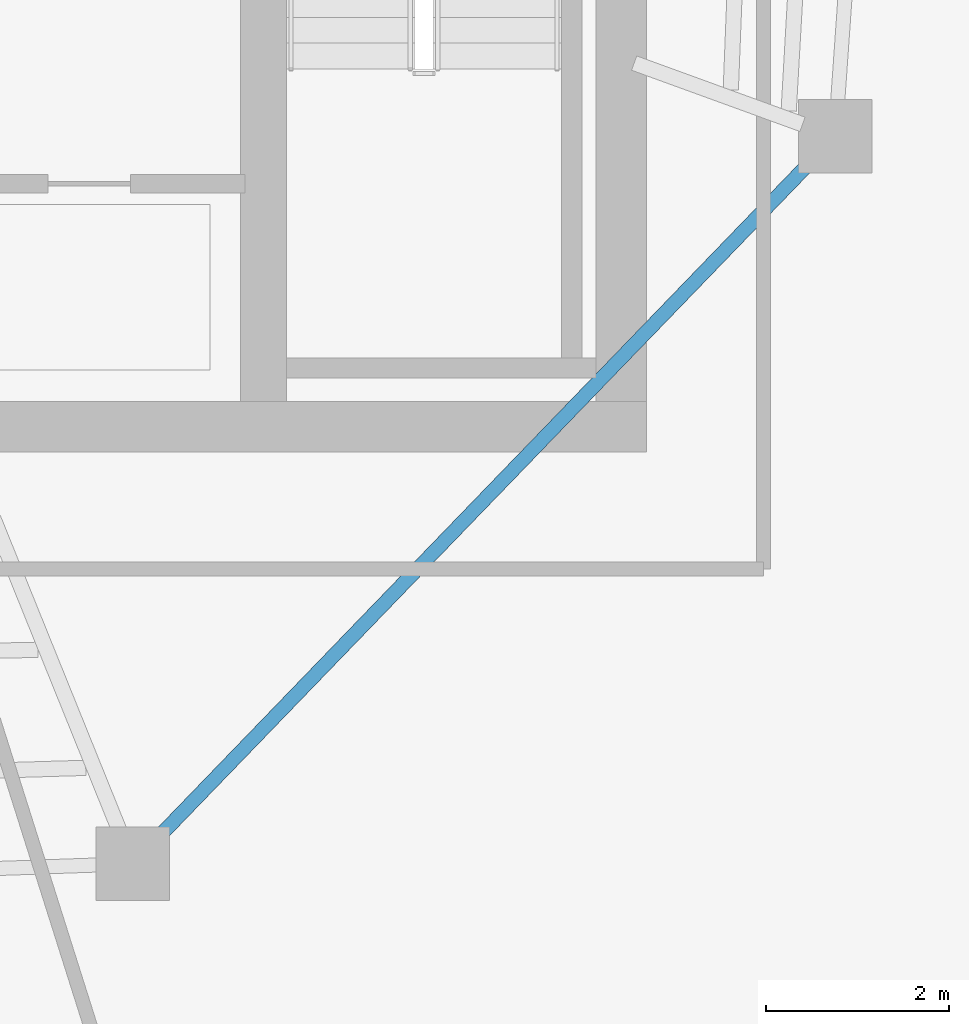
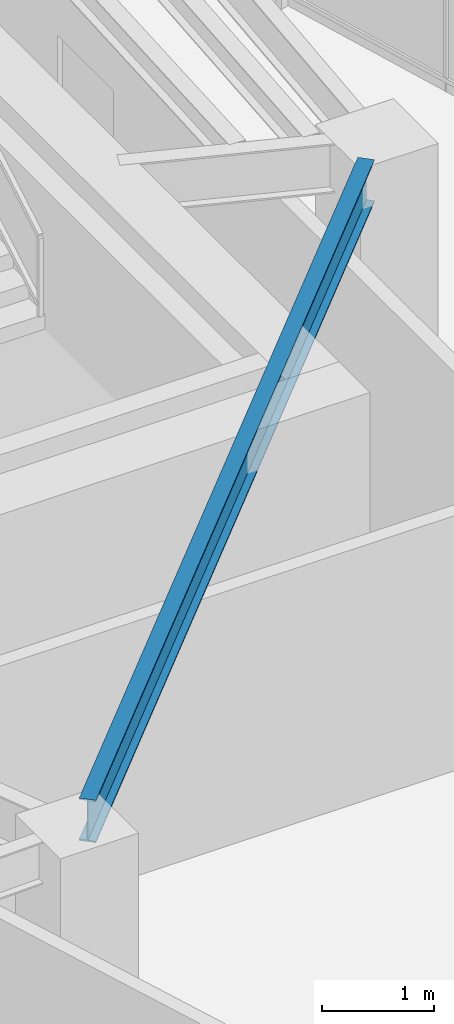
# One storey, part 5 of 18: 1 beam.
"""IFC4 building model written with IfcOpenShell, lengths in metres."""

from ifc_helpers import new_model, si_unit, direction, frame, origin, origin_2d, place, context, subcontext, project, spatial, i_section, extrude, material, material_profile, profile_set, type_object, element, save


model = new_model("IFC4")

# Units and contexts
model_context = context("Model", 3, precision=1e-05, world=origin(), true_north=direction((0.0, 1.0)))
body_context = subcontext(model_context, "Body", "Model", "MODEL_VIEW")
ifc_project = project(units=[si_unit("LENGTHUNIT", "METRE"), si_unit("AREAUNIT", "SQUARE_METRE"), si_unit("VOLUMEUNIT", "CUBIC_METRE"), si_unit("PLANEANGLEUNIT", "RADIAN"), si_unit("MASSUNIT", "GRAM", prefix="KILO")], contexts=[model_context])

# Site, building, storey
site_placement = place(None, origin())
site = spatial("IfcSite", under=ifc_project, at=site_placement, CompositionType="ELEMENT")
building_placement = place(site_placement, origin())
building = spatial("IfcBuilding", under=site, at=building_placement, Name="Qarnah Convention Tower", CompositionType="ELEMENT")
storey_placement = place(building_placement, frame((0.0, 0.0, 242.699951171875)))
storey = spatial("IfcBuildingStorey", under=building, at=storey_placement, Name="L65", CompositionType="ELEMENT", Elevation=242.699951171875)

# Beam
ifc_material = material(Name="Structural steel S355JR", Category="steel")
ifc_material_profile = material_profile(ifc_material, i_section(OverallWidth=0.154052734375, OverallDepth=0.4599609375, WebThickness=0.009033203125, FlangeThickness=0.014892578125, at=origin_2d()), Name="W460X68")
ifc_profile_set = profile_set([ifc_material_profile], Name="Structural steel S355JR")
beam_type = type_object("IfcBeamType", Name="BM-SPN-W460B", PredefinedType="SPANDREL", material=ifc_profile_set)
beam_placement = place(storey_placement, frame((42.547119140625, 14.117919921875, 3.090087890625), z_axis=(0.694687671008, 0.719311503974, 0.0), x_axis=(-0.719311503974, 0.694687671008, 0.0)))
element("IfcBeam", 1, at=beam_placement, inside=storey, type_object=beam_type, Name="L65 spandrel BM-L65-SPN-08", PredefinedType="SPANDREL", context=body_context, shape_type="SweptSolid", body=[
    extrude(i_section(OverallWidth=0.154052734375, OverallDepth=0.4599609375, WebThickness=0.009033203125, FlangeThickness=0.014892578125, at=origin_2d()), origin(), (0.0, 0.0, 1.0), 10.241943359375),
])

save(model, "model.ifc")
